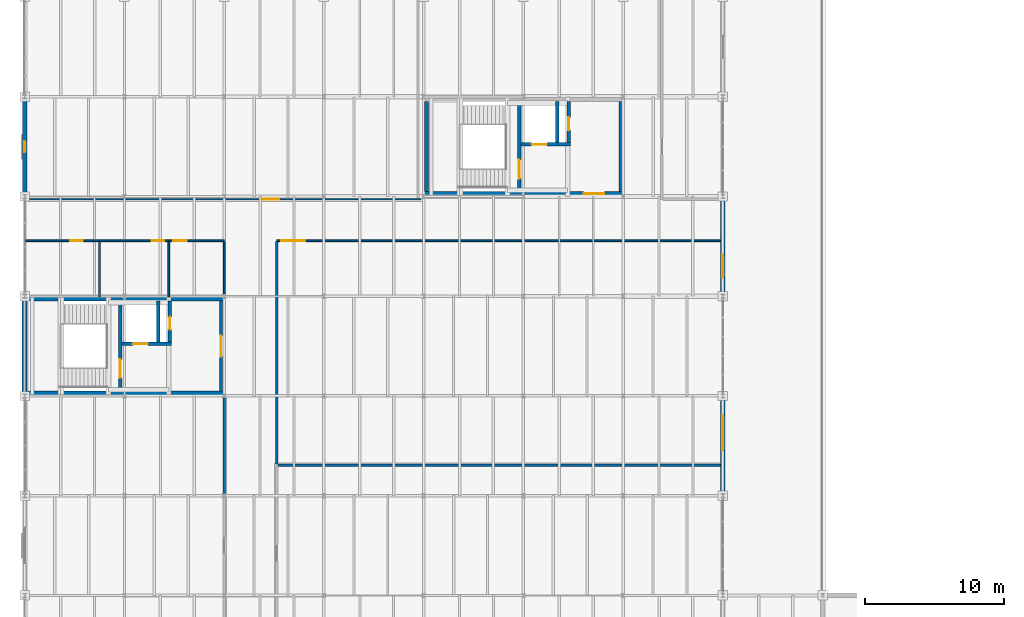
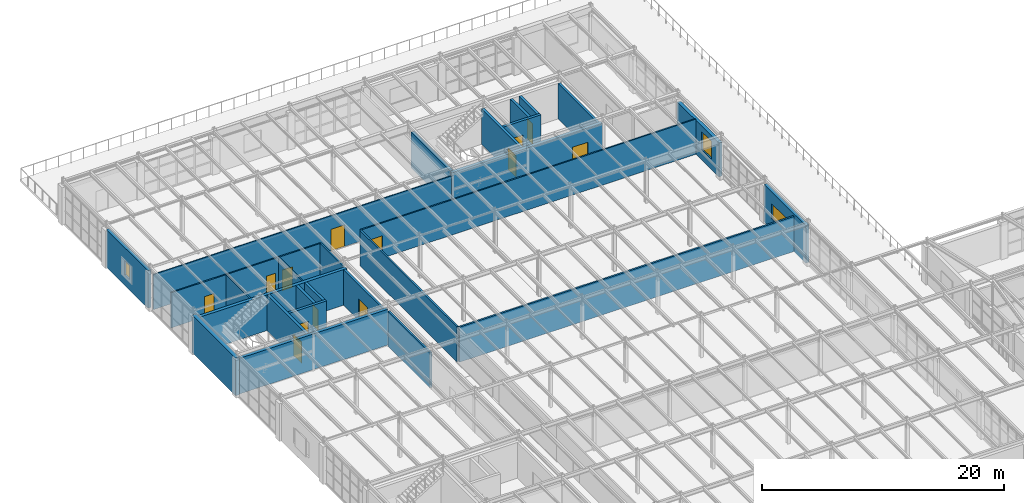
# One storey, part 91 of 101: 29 walls, 13 doors, 3 windows, 16 openings.
"""IFC4 building model written with IfcOpenShell, lengths in metres."""

from ifc_helpers import new_model, si_unit, direction, frame, frame_2d, origin, place, context, subcontext, project, spatial, rectangle, extrude, material, layer, layer_set, type_object, element, fill, save


model = new_model("IFC4")

# Units and contexts
model_context = context("Model", 3, precision=1e-05, world=origin(), true_north=direction((0.0, 1.0)))
body_context = subcontext(model_context, "Body", "Model", "MODEL_VIEW")
ifc_project = project(units=[si_unit("LENGTHUNIT", "METRE"), si_unit("AREAUNIT", "SQUARE_METRE"), si_unit("VOLUMEUNIT", "CUBIC_METRE"), si_unit("PLANEANGLEUNIT", "RADIAN"), si_unit("MASSUNIT", "GRAM", prefix="KILO")], contexts=[model_context])

# Site, building, storey
site_placement = place(None, origin())
site = spatial("IfcSite", under=ifc_project, at=site_placement, CompositionType="ELEMENT")
building_placement = place(site_placement, origin())
building = spatial("IfcBuilding", under=site, at=building_placement, Name="Kemerveld Promenade Tramway Depot", CompositionType="ELEMENT")
storey_placement = place(building_placement, frame((0.0, 0.0, 9.89990234375)))
storey = spatial("IfcBuildingStorey", under=building, at=storey_placement, Name="L02", CompositionType="ELEMENT", Elevation=9.89990234375)

# Wall, opening, door
ifc_material_1 = material(Name="Concrete C40/50", Category="concrete")
ifc_layer_1 = layer(ifc_material_1, 0.25)
ifc_layer_set_1 = layer_set([ifc_layer_1], Name="WL-CORE-250")
wall_type_1 = type_object("IfcWallType", Name="WL-CORE-250", PredefinedType="SHEAR", material=ifc_layer_set_1)
wall_1_placement = place(storey_placement, frame((6.89990234375, 43.550048828125, 0.0), z_axis=(0.0, 0.0, 1.0), x_axis=(0.0, 1.0, 0.0)))
wall_1 = element("IfcWall", 1, at=wall_1_placement, inside=storey, type_object=wall_type_1, Name="WL-C2-L02-SDIV", PredefinedType="SHEAR", context=body_context, shape_type="SweptSolid", body=[
    extrude(rectangle(XDim=6.5, YDim=0.25, at=frame_2d((3.25, 0.0))), origin(), (0.0, 0.0, 1.0), 3.60009765625),
])
opening_1_placement = place(wall_1_placement, frame((0.949951171875, 0.0, 0.0)))
opening_1 = element("IfcOpeningElement", 2, at=opening_1_placement, cuts=wall_1, Name="Opening D-529", PredefinedType="OPENING", context=body_context, shape_type="SweptSolid", body=[
    extrude(rectangle(XDim=1.35009765625, YDim=2.14990234375, at=frame_2d((0.675048828125, 1.074951171875))), frame((0.0, 0.135009765625, 0.0), z_axis=(0.0, -1.0, 0.0), x_axis=(1.0, 0.0, 0.0)), (0.0, 0.0, 1.0), 0.27001953125),
])
ifc_material_2 = material(Name="Galvanised steel fire stair door", Category="steel")
door_type_1 = type_object("IfcDoorType", Name="DR-FD120", OperationType="NOTDEFINED", PredefinedType="DOOR", material=ifc_material_2)
door_1_placement = place(opening_1_placement, origin())
door_1 = element("IfcDoor", 3, at=door_1_placement, inside=storey, type_object=door_type_1, Name="DR-C2-L02-STAIR", OperationType="SINGLE_SWING_LEFT", OverallHeight=2.14990234375, OverallWidth=1.35009765625, PredefinedType="DOOR", context=body_context, shape_type="SweptSolid", body=[
    extrude(rectangle(XDim=1.35009765625, YDim=2.14990234375, at=frame_2d((0.675048828125, 1.074951171875))), frame((0.0, 0.02490234375, 0.0), z_axis=(0.0, -1.0, 0.0), x_axis=(1.0, 0.0, 0.0)), (0.0, 0.0, 1.0), 0.050048828125),
])
fill(opening_1, door_1)

wall_2_placement = place(storey_placement, frame((7.02490234375, 46.9599609375, 0.0), z_axis=(0.0, 0.0, 1.0), x_axis=(1.0, 0.0, 0.0)))
wall_2 = element("IfcWall", 4, at=wall_2_placement, inside=storey, type_object=wall_type_1, Name="WL-C2-L02-LSHS", PredefinedType="SHEAR", context=body_context, shape_type="SweptSolid", body=[
    extrude(rectangle(XDim=3.580078125, YDim=0.25, at=frame_2d((1.7900390625, 0.0))), origin(), (0.0, 0.0, 1.0), 3.60009765625),
])
opening_2_placement = place(wall_2_placement, frame((0.77490234375, 0.0, 0.0)))
opening_2 = element("IfcOpeningElement", 5, at=opening_2_placement, cuts=wall_2, Name="Opening LD-530", PredefinedType="OPENING", context=body_context, shape_type="SweptSolid", body=[
    extrude(rectangle(XDim=1.10009765625, YDim=2.14990234375, at=frame_2d((0.550048828125, 1.074951171875))), frame((0.0, 0.135009765625, 0.0), z_axis=(0.0, -1.0, 0.0), x_axis=(1.0, 0.0, 0.0)), (0.0, 0.0, 1.0), 0.27001953125),
])
ifc_material_3 = material(Name="Brushed stainless steel sliding lift landing door", Category="steel")
door_type_2 = type_object("IfcDoorType", Name="DR-LD01", OperationType="SLIDING_TO_LEFT", PredefinedType="DOOR", material=ifc_material_3)
door_2_placement = place(opening_2_placement, origin())
door_2 = element("IfcDoor", 6, at=door_2_placement, inside=storey, type_object=door_type_2, Name="DR-C2-L02-LIFT", OperationType="SLIDING_TO_LEFT", OverallHeight=2.14990234375, OverallWidth=1.10009765625, PredefinedType="DOOR", context=body_context, shape_type="SweptSolid", body=[
    extrude(rectangle(XDim=1.10009765625, YDim=2.14990234375, at=frame_2d((0.550048828125, 1.074951171875))), frame((0.0, 0.02490234375, 0.0), z_axis=(0.0, -1.0, 0.0), x_axis=(1.0, 0.0, 0.0)), (0.0, 0.0, 1.0), 0.050048828125),
])
fill(opening_2, door_2)

# Wall
wall_3_placement = place(storey_placement, frame((9.64990234375, 47.0849609375, 0.0), z_axis=(0.0, 0.0, 1.0), x_axis=(0.0, 1.0, 0.0)))
element("IfcWall", 7, at=wall_3_placement, inside=storey, type_object=wall_type_1, Name="WL-C2-L02-LSHM", PredefinedType="SHEAR", context=body_context, shape_type="SweptSolid", body=[
    extrude(rectangle(XDim=2.965087890625, YDim=0.25, at=frame_2d((1.482421875, 0.0))), origin(), (0.0, 0.0, 1.0), 3.60009765625),
])

# Wall, opening, door
wall_4_placement = place(storey_placement, frame((10.47998046875, 47.0849609375, 0.0), z_axis=(0.0, 0.0, 1.0), x_axis=(0.0, 1.0, 0.0)))
wall_4 = element("IfcWall", 8, at=wall_4_placement, inside=storey, type_object=wall_type_1, Name="WL-C2-L02-LSHE", PredefinedType="SHEAR", context=body_context, shape_type="SweptSolid", body=[
    extrude(rectangle(XDim=2.965087890625, YDim=0.25, at=frame_2d((1.482421875, 0.0))), origin(), (0.0, 0.0, 1.0), 3.60009765625),
])
opening_3_placement = place(wall_4_placement, frame((0.89990234375, 0.0, 0.0)))
opening_3 = element("IfcOpeningElement", 9, at=opening_3_placement, cuts=wall_4, Name="Opening D-531", PredefinedType="OPENING", context=body_context, shape_type="SweptSolid", body=[
    extrude(rectangle(XDim=0.919921875, YDim=2.050048828125, at=frame_2d((0.4599609375, 1.02490234375))), frame((0.0, 0.135009765625, 0.0), z_axis=(0.0, -1.0, 0.0), x_axis=(1.0, 0.0, 0.0)), (0.0, 0.0, 1.0), 0.27001953125),
])
ifc_material_4 = material(Name="Steel riser shaft access fire door", Category="steel")
door_type_3 = type_object("IfcDoorType", Name="DR-RSR01", OperationType="NOTDEFINED", PredefinedType="DOOR", material=ifc_material_4)
door_3_placement = place(opening_3_placement, origin())
door_3 = element("IfcDoor", 10, at=door_3_placement, inside=storey, type_object=door_type_3, Name="DR-C2-L02-RISER", OperationType="SINGLE_SWING_RIGHT", OverallHeight=2.050048828125, OverallWidth=0.919921875, PredefinedType="DOOR", context=body_context, shape_type="SweptSolid", body=[
    extrude(rectangle(XDim=0.919921875, YDim=2.050048828125, at=frame_2d((0.4599609375, 1.02490234375))), frame((0.0, 0.02490234375, 0.0), z_axis=(0.0, -1.0, 0.0), x_axis=(1.0, 0.0, 0.0)), (0.0, 0.0, 1.0), 0.050048828125),
])
fill(opening_3, door_3)

wall_5_placement = place(storey_placement, frame((35.699951171875, 57.949951171875, 0.0), z_axis=(0.0, 0.0, 1.0), x_axis=(0.0, 1.0, 0.0)))
wall_5 = element("IfcWall", 11, at=wall_5_placement, inside=storey, type_object=wall_type_1, Name="WL-C3-L02-SDIV", PredefinedType="SHEAR", context=body_context, shape_type="SweptSolid", body=[
    extrude(rectangle(XDim=6.5, YDim=0.25, at=frame_2d((3.25, 0.0))), origin(), (0.0, 0.0, 1.0), 3.60009765625),
])
opening_4_placement = place(wall_5_placement, frame((0.949951171875, 0.0, 0.0)))
opening_4 = element("IfcOpeningElement", 12, at=opening_4_placement, cuts=wall_5, Name="Opening D-549", PredefinedType="OPENING", context=body_context, shape_type="SweptSolid", body=[
    extrude(rectangle(XDim=1.35009765625, YDim=2.14990234375, at=frame_2d((0.675048828125, 1.074951171875))), frame((0.0, 0.135009765625, 0.0), z_axis=(0.0, -1.0, 0.0), x_axis=(1.0, 0.0, 0.0)), (0.0, 0.0, 1.0), 0.27001953125),
])
door_4_placement = place(opening_4_placement, origin())
door_4 = element("IfcDoor", 13, at=door_4_placement, inside=storey, type_object=door_type_1, Name="DR-C3-L02-STAIR", OperationType="SINGLE_SWING_RIGHT", OverallHeight=2.14990234375, OverallWidth=1.35009765625, PredefinedType="DOOR", context=body_context, shape_type="SweptSolid", body=[
    extrude(rectangle(XDim=1.35009765625, YDim=2.14990234375, at=frame_2d((0.675048828125, 1.074951171875))), frame((0.0, 0.02490234375, 0.0), z_axis=(0.0, -1.0, 0.0), x_axis=(1.0, 0.0, 0.0)), (0.0, 0.0, 1.0), 0.050048828125),
])
fill(opening_4, door_4)

wall_6_placement = place(storey_placement, frame((35.824951171875, 61.360107421875, 0.0), z_axis=(0.0, 0.0, 1.0), x_axis=(1.0, 0.0, 0.0)))
wall_6 = element("IfcWall", 14, at=wall_6_placement, inside=storey, type_object=wall_type_1, Name="WL-C3-L02-LSHS", PredefinedType="SHEAR", context=body_context, shape_type="SweptSolid", body=[
    extrude(rectangle(XDim=3.580078125, YDim=0.25, at=frame_2d((1.7900390625, 0.0))), origin(), (0.0, 0.0, 1.0), 3.60009765625),
])
opening_5_placement = place(wall_6_placement, frame((0.77490234375, 0.0, 0.0)))
opening_5 = element("IfcOpeningElement", 15, at=opening_5_placement, cuts=wall_6, Name="Opening LD-550", PredefinedType="OPENING", context=body_context, shape_type="SweptSolid", body=[
    extrude(rectangle(XDim=1.10009765625, YDim=2.14990234375, at=frame_2d((0.550048828125, 1.074951171875))), frame((0.0, 0.135009765625, 0.0), z_axis=(0.0, -1.0, 0.0), x_axis=(1.0, 0.0, 0.0)), (0.0, 0.0, 1.0), 0.27001953125),
])
door_5_placement = place(opening_5_placement, origin())
door_5 = element("IfcDoor", 16, at=door_5_placement, inside=storey, type_object=door_type_2, Name="DR-C3-L02-LIFT", OperationType="SLIDING_TO_LEFT", OverallHeight=2.14990234375, OverallWidth=1.10009765625, PredefinedType="DOOR", context=body_context, shape_type="SweptSolid", body=[
    extrude(rectangle(XDim=1.10009765625, YDim=2.14990234375, at=frame_2d((0.550048828125, 1.074951171875))), frame((0.0, 0.02490234375, 0.0), z_axis=(0.0, -1.0, 0.0), x_axis=(1.0, 0.0, 0.0)), (0.0, 0.0, 1.0), 0.050048828125),
])
fill(opening_5, door_5)

# Wall
wall_7_placement = place(storey_placement, frame((38.449951171875, 61.485107421875, 0.0), z_axis=(0.0, 0.0, 1.0), x_axis=(0.0, 1.0, 0.0)))
element("IfcWall", 17, at=wall_7_placement, inside=storey, type_object=wall_type_1, Name="WL-C3-L02-LSHM", PredefinedType="SHEAR", context=body_context, shape_type="SweptSolid", body=[
    extrude(rectangle(XDim=2.96484375, YDim=0.25, at=frame_2d((1.482421875, 0.0))), origin(), (0.0, 0.0, 1.0), 3.60009765625),
])

# Wall, opening, door
wall_8_placement = place(storey_placement, frame((39.280029296875, 61.485107421875, 0.0), z_axis=(0.0, 0.0, 1.0), x_axis=(0.0, 1.0, 0.0)))
wall_8 = element("IfcWall", 18, at=wall_8_placement, inside=storey, type_object=wall_type_1, Name="WL-C3-L02-LSHE", PredefinedType="SHEAR", context=body_context, shape_type="SweptSolid", body=[
    extrude(rectangle(XDim=2.96484375, YDim=0.25, at=frame_2d((1.482421875, 0.0))), origin(), (0.0, 0.0, 1.0), 3.60009765625),
])
opening_6_placement = place(wall_8_placement, frame((0.89990234375, 0.0, 0.0)))
opening_6 = element("IfcOpeningElement", 19, at=opening_6_placement, cuts=wall_8, Name="Opening D-551", PredefinedType="OPENING", context=body_context, shape_type="SweptSolid", body=[
    extrude(rectangle(XDim=0.919921875, YDim=2.050048828125, at=frame_2d((0.4599609375, 1.02490234375))), frame((0.0, 0.135009765625, 0.0), z_axis=(0.0, -1.0, 0.0), x_axis=(1.0, 0.0, 0.0)), (0.0, 0.0, 1.0), 0.27001953125),
])
door_6_placement = place(opening_6_placement, origin())
door_6 = element("IfcDoor", 20, at=door_6_placement, inside=storey, type_object=door_type_3, Name="DR-C3-L02-RISER", OperationType="SINGLE_SWING_LEFT", OverallHeight=2.050048828125, OverallWidth=0.919921875, PredefinedType="DOOR", context=body_context, shape_type="SweptSolid", body=[
    extrude(rectangle(XDim=0.919921875, YDim=2.050048828125, at=frame_2d((0.4599609375, 1.02490234375))), frame((0.0, 0.02490234375, 0.0), z_axis=(0.0, -1.0, 0.0), x_axis=(1.0, 0.0, 0.0)), (0.0, 0.0, 1.0), 0.050048828125),
])
fill(opening_6, door_6)

# Walls
ifc_layer_2 = layer(ifc_material_1, 0.300048828125)
ifc_layer_set_2 = layer_set([ifc_layer_2], Name="WL-CORE-300")
wall_type_2 = type_object("IfcWallType", Name="WL-CORE-300", PredefinedType="SHEAR", material=ifc_layer_set_2)
for number, where, z_axis, x_axis, name in (
    (21, (0.169921875, 43.39990234375, 0.0), (0.0, 0.0, 1.0), (1.0, 0.0, 0.0), "WL-C2-L02-S"),
    (22, (0.169921875, 50.199951171875, 0.0), (0.0, 0.0, 1.0), (1.0, 0.0, 0.0), "WL-C2-L02-N"),
):
    element("IfcWall", number, at=place(storey_placement, frame(where, z_axis=z_axis, x_axis=x_axis)), inside=storey, type_object=wall_type_2, Name=name, PredefinedType="SHEAR", context=body_context, shape_type="SweptSolid", body=[
        extrude(rectangle(XDim=14.22998046875, YDim=0.300048828125, at=frame_2d((7.114990234375, 0.0))), origin(), (0.0, 0.0, 1.0), 3.60009765625),
    ])

# Wall, opening, door
wall_9_placement = place(storey_placement, frame((28.85009765625, 57.800048828125, 0.0), z_axis=(0.0, 0.0, 1.0), x_axis=(1.0, 0.0, 0.0)))
wall_9 = element("IfcWall", 23, at=wall_9_placement, inside=storey, type_object=wall_type_2, Name="WL-C3-L02-S", PredefinedType="SHEAR", context=body_context, shape_type="SweptSolid", body=[
    extrude(rectangle(XDim=14.349853515625, YDim=0.300048828125, at=frame_2d((7.1748046875, 0.0))), origin(), (0.0, 0.0, 1.0), 3.60009765625),
])
opening_7_placement = place(wall_9_placement, frame((11.5, 0.0, 0.0)))
opening_7 = element("IfcOpeningElement", 24, at=opening_7_placement, cuts=wall_9, Name="Opening D-552", PredefinedType="OPENING", context=body_context, shape_type="SweptSolid", body=[
    extrude(rectangle(XDim=1.5, YDim=2.14990234375, at=frame_2d((0.75, 1.074951171875))), frame((0.0, 0.159912109375, 0.0), z_axis=(0.0, -1.0, 0.0), x_axis=(1.0, 0.0, 0.0)), (0.0, 0.0, 1.0), 0.320068359375),
])
ifc_material_5 = material(Name="Timber-faced acoustic fire lobby door", Category="wood")
door_type_4 = type_object("IfcDoorType", Name="DR-FD60A", OperationType="NOTDEFINED", PredefinedType="DOOR", material=ifc_material_5)
door_7_placement = place(opening_7_placement, origin())
door_7 = element("IfcDoor", 25, at=door_7_placement, inside=storey, type_object=door_type_4, Name="DR-C3-L02-LOBBY", OperationType="SINGLE_SWING_RIGHT", OverallHeight=2.14990234375, OverallWidth=1.5, PredefinedType="DOOR", context=body_context, shape_type="SweptSolid", body=[
    extrude(rectangle(XDim=1.5, YDim=2.14990234375, at=frame_2d((0.75, 1.074951171875))), frame((0.0, 0.02490234375, 0.0), z_axis=(0.0, -1.0, 0.0), x_axis=(1.0, 0.0, 0.0)), (0.0, 0.0, 1.0), 0.050048828125),
])
fill(opening_7, door_7)

# Wall
wall_10_placement = place(storey_placement, frame((29.0, 57.949951171875, 0.0), z_axis=(0.0, 0.0, 1.0), x_axis=(0.0, 1.0, 0.0)))
element("IfcWall", 26, at=wall_10_placement, inside=storey, type_object=wall_type_2, Name="WL-C3-L02-W", PredefinedType="SHEAR", context=body_context, shape_type="SweptSolid", body=[
    extrude(rectangle(XDim=6.5, YDim=0.300048828125, at=frame_2d((3.25, 0.0))), origin(), (0.0, 0.0, 1.0), 3.60009765625),
])

# Wall, opening, window
ifc_material_6 = material(Name="Banded granite and red-ochre clay brick masonry", Category="masonry")
ifc_layer_3 = layer(ifc_material_6, 0.320068359375)
ifc_layer_set_3 = layer_set([ifc_layer_3], Name="WL-EXT-320")
wall_type_3 = type_object("IfcWallType", Name="WL-EXT-320", PredefinedType="SOLIDWALL", material=ifc_layer_set_3)
wall_11_placement = place(storey_placement, frame((0.0, 57.75830078125, 0.0), z_axis=(0.0, 0.0, 1.0), x_axis=(0.0, 1.0, 0.0)))
wall_11 = element("IfcWall", 27, at=wall_11_placement, inside=storey, type_object=wall_type_3, Name="WL-L02-V5W-09", PredefinedType="SOLIDWALL", context=body_context, shape_type="SweptSolid", body=[
    extrude(rectangle(XDim=6.883544921875, YDim=0.320068359375, at=frame_2d((3.44189453125, 0.0))), origin(), (0.0, 0.0, 1.0), 3.800048828125),
])
opening_8_placement = place(wall_11_placement, frame((3.0419921875, 0.0, 1.050048828125)))
opening_8 = element("IfcOpeningElement", 28, at=opening_8_placement, cuts=wall_11, Name="Opening W-190", PredefinedType="OPENING", context=body_context, shape_type="SweptSolid", body=[
    extrude(rectangle(XDim=0.800048828125, YDim=1.39990234375, at=frame_2d((0.39990234375, 0.699951171875))), frame((0.0, 0.169921875, 0.0), z_axis=(0.0, -1.0, 0.0), x_axis=(1.0, 0.0, 0.0)), (0.0, 0.0, 1.0), 0.340087890625),
])
ifc_material_7 = material(Name="Bronze anodised aluminium and low-e glass", Category="aluminium")
window_type_1 = type_object("IfcWindowType", Name="WN-19", PartitioningType="SINGLE_PANEL", PredefinedType="WINDOW", material=ifc_material_7)
window_1_placement = place(opening_8_placement, origin())
window_1 = element("IfcWindow", 29, at=window_1_placement, inside=storey, type_object=window_type_1, Name="WN-L02-V5W-09", OverallHeight=1.39990234375, OverallWidth=0.800048828125, PartitioningType="SINGLE_PANEL", PredefinedType="WINDOW", context=body_context, shape_type="SweptSolid", body=[
    extrude(rectangle(XDim=0.800048828125, YDim=1.39990234375, at=frame_2d((0.39990234375, 0.699951171875))), frame((0.0, 0.030029296875, 0.0), z_axis=(0.0, -1.0, 0.0), x_axis=(1.0, 0.0, 0.0)), (0.0, 0.0, 1.0), 0.06005859375),
])
fill(opening_8, window_1)

wall_12_placement = place(storey_placement, frame((50.39990234375, 57.44189453125, 0.0), z_axis=(0.0, 0.0, 1.0), x_axis=(0.0, -1.0, 0.0)))
wall_12 = element("IfcWall", 30, at=wall_12_placement, inside=storey, type_object=wall_type_3, Name="WL-L02-V5E-03", PredefinedType="SOLIDWALL", context=body_context, shape_type="SweptSolid", body=[
    extrude(rectangle(XDim=6.8837890625, YDim=0.320068359375, at=frame_2d((3.44189453125, 0.0))), origin(), (0.0, 0.0, 1.0), 3.414306640625),
])
opening_9_placement = place(wall_12_placement, frame((4.05810546875, 0.0, 1.050048828125)))
opening_9 = element("IfcOpeningElement", 31, at=opening_9_placement, cuts=wall_12, Name="Opening W-194", PredefinedType="OPENING", context=body_context, shape_type="SweptSolid", body=[
    extrude(rectangle(XDim=1.659912109375, YDim=1.800048828125, at=frame_2d((0.830078125, 0.89990234375))), frame((0.0, 0.169921875, 0.0), z_axis=(0.0, -1.0, 0.0), x_axis=(1.0, 0.0, 0.0)), (0.0, 0.0, 1.0), 0.340087890625),
])
window_type_2 = type_object("IfcWindowType", Name="WN-29", PartitioningType="SINGLE_PANEL", PredefinedType="WINDOW", material=ifc_material_7)
window_2_placement = place(opening_9_placement, origin())
window_2 = element("IfcWindow", 32, at=window_2_placement, inside=storey, type_object=window_type_2, Name="WN-L02-V5E-03", OverallHeight=1.800048828125, OverallWidth=1.659912109375, PartitioningType="SINGLE_PANEL", PredefinedType="WINDOW", context=body_context, shape_type="SweptSolid", body=[
    extrude(rectangle(XDim=1.659912109375, YDim=1.800048828125, at=frame_2d((0.830078125, 0.89990234375))), frame((0.0, 0.030029296875, 0.0), z_axis=(0.0, -1.0, 0.0), x_axis=(1.0, 0.0, 0.0)), (0.0, 0.0, 1.0), 0.06005859375),
])
fill(opening_9, window_2)

wall_13_placement = place(storey_placement, frame((50.39990234375, 43.0419921875, 0.0), z_axis=(0.0, 0.0, 1.0), x_axis=(0.0, -1.0, 0.0)))
wall_13 = element("IfcWall", 33, at=wall_13_placement, inside=storey, type_object=wall_type_3, Name="WL-L02-V5E-05", PredefinedType="SOLIDWALL", context=body_context, shape_type="SweptSolid", body=[
    extrude(rectangle(XDim=6.8837890625, YDim=0.320068359375, at=frame_2d((3.44189453125, 0.0))), origin(), (0.0, 0.0, 1.0), 3.800048828125),
])
opening_10_placement = place(wall_13_placement, frame((1.216064453125, 0.0, 1.050048828125)))
opening_10 = element("IfcOpeningElement", 34, at=opening_10_placement, cuts=wall_13, Name="Opening W-195", PredefinedType="OPENING", context=body_context, shape_type="SweptSolid", body=[
    extrude(rectangle(XDim=2.56005859375, YDim=1.550048828125, at=frame_2d((1.280029296875, 0.77490234375))), frame((0.0, 0.169921875, 0.0), z_axis=(0.0, -1.0, 0.0), x_axis=(1.0, 0.0, 0.0)), (0.0, 0.0, 1.0), 0.340087890625),
])
window_type_3 = type_object("IfcWindowType", Name="WN-39", PartitioningType="SINGLE_PANEL", PredefinedType="WINDOW", material=ifc_material_7)
window_3_placement = place(opening_10_placement, origin())
window_3 = element("IfcWindow", 35, at=window_3_placement, inside=storey, type_object=window_type_3, Name="WN-L02-V5E-05", OverallHeight=1.550048828125, OverallWidth=2.56005859375, PartitioningType="SINGLE_PANEL", PredefinedType="WINDOW", context=body_context, shape_type="SweptSolid", body=[
    extrude(rectangle(XDim=2.56005859375, YDim=1.550048828125, at=frame_2d((1.280029296875, 0.77490234375))), frame((0.0, 0.030029296875, 0.0), z_axis=(0.0, -1.0, 0.0), x_axis=(1.0, 0.0, 0.0)), (0.0, 0.0, 1.0), 0.06005859375),
])
fill(opening_10, window_3)

# Wall
ifc_layer_4 = layer(ifc_material_1, 0.360107421875)
ifc_layer_set_4 = layer_set([ifc_layer_4], Name="WL-EXT-CORE")
wall_type_4 = type_object("IfcWallType", Name="WL-EXT-CORE", PredefinedType="SHEAR", material=ifc_layer_set_4)
wall_14_placement = place(storey_placement, frame((0.0, 43.199951171875, 0.0), z_axis=(0.0, 0.0, 1.0), x_axis=(0.0, 1.0, 0.0)))
element("IfcWall", 36, at=wall_14_placement, inside=storey, type_object=wall_type_4, Name="WL-L02-V5W-07", PredefinedType="SHEAR", context=body_context, shape_type="SweptSolid", body=[
    extrude(rectangle(XDim=7.199951171875, YDim=0.360107421875, at=frame_2d((3.60009765625, 0.0))), origin(), (0.0, 0.0, 1.0), 3.800048828125),
])

# Wall, opening, door
ifc_material_8 = material(Name="Concrete blockwork C35/45", Category="masonry")
ifc_layer_5 = layer(ifc_material_8, 0.199951171875)
ifc_layer_set_5 = layer_set([ifc_layer_5], Name="WL-LOB-200")
wall_type_5 = type_object("IfcWallType", Name="WL-LOB-200", PredefinedType="SOLIDWALL", material=ifc_layer_set_5)
wall_15_placement = place(storey_placement, frame((14.179931640625, 43.550048828125, 0.0), z_axis=(0.0, 0.0, 1.0), x_axis=(0.0, 1.0, 0.0)))
wall_15 = element("IfcWall", 37, at=wall_15_placement, inside=storey, type_object=wall_type_5, Name="WL-C2-L02-LOB", PredefinedType="SOLIDWALL", context=body_context, shape_type="SweptSolid", body=[
    extrude(rectangle(XDim=6.5, YDim=0.199951171875, at=frame_2d((3.25, 0.0))), origin(), (0.0, 0.0, 1.0), 3.60009765625),
])
opening_11_placement = place(wall_15_placement, frame((2.5, 0.0, 0.0)))
opening_11 = element("IfcOpeningElement", 38, at=opening_11_placement, cuts=wall_15, Name="Opening D-532", PredefinedType="OPENING", context=body_context, shape_type="SweptSolid", body=[
    extrude(rectangle(XDim=1.5, YDim=2.14990234375, at=frame_2d((0.75, 1.074951171875))), frame((0.0, 0.10986328125, 0.0), z_axis=(0.0, -1.0, 0.0), x_axis=(1.0, 0.0, 0.0)), (0.0, 0.0, 1.0), 0.219970703125),
])
door_8_placement = place(opening_11_placement, origin())
door_8 = element("IfcDoor", 39, at=door_8_placement, inside=storey, type_object=door_type_4, Name="DR-C2-L02-LOBBY", OperationType="SINGLE_SWING_LEFT", OverallHeight=2.14990234375, OverallWidth=1.5, PredefinedType="DOOR", context=body_context, shape_type="SweptSolid", body=[
    extrude(rectangle(XDim=1.5, YDim=2.14990234375, at=frame_2d((0.75, 1.074951171875))), frame((0.0, 0.02490234375, 0.0), z_axis=(0.0, -1.0, 0.0), x_axis=(1.0, 0.0, 0.0)), (0.0, 0.0, 1.0), 0.050048828125),
])
fill(opening_11, door_8)

# Wall
wall_16_placement = place(storey_placement, frame((43.0, 57.949951171875, 0.0), z_axis=(0.0, 0.0, 1.0), x_axis=(0.0, 1.0, 0.0)))
element("IfcWall", 40, at=wall_16_placement, inside=storey, type_object=wall_type_5, Name="WL-C3-L02-E", PredefinedType="SOLIDWALL", context=body_context, shape_type="SweptSolid", body=[
    extrude(rectangle(XDim=6.5, YDim=0.199951171875, at=frame_2d((3.25, 0.0))), origin(), (0.0, 0.0, 1.0), 3.60009765625),
])

# Wall, opening, door
ifc_material_9 = material(Name="Lightweight glazed studio partition")
ifc_layer_6 = layer(ifc_material_9, 0.10009765625)
ifc_layer_set_6 = layer_set([ifc_layer_6], Name="WL-PRT-100")
wall_type_6 = type_object("IfcWallType", Name="WL-PRT-100", PredefinedType="PARTITIONING", material=ifc_layer_set_6)
wall_17_placement = place(storey_placement, frame((0.159912109375, 57.39990234375, 0.0), z_axis=(0.0, 0.0, 1.0), x_axis=(1.0, 0.0, 0.0)))
wall_17 = element("IfcWall", 41, at=wall_17_placement, inside=storey, type_object=wall_type_6, Name="WL-PRT-RM-L02-V5-INST", PredefinedType="PARTITIONING", context=body_context, shape_type="SweptSolid", body=[
    extrude(rectangle(XDim=28.440185546875, YDim=0.10009765625, at=frame_2d((14.22021484375, 0.0))), origin(), (0.0, 0.0, 1.0), 3.550048828125),
])
opening_12_placement = place(wall_17_placement, frame((16.947021484375, 0.0, 0.0)))
opening_12 = element("IfcOpeningElement", 42, at=opening_12_placement, cuts=wall_17, Name="Opening D-669", PredefinedType="OPENING", context=body_context, shape_type="SweptSolid", body=[
    extrude(rectangle(XDim=1.280029296875, YDim=2.179931640625, at=frame_2d((0.64013671875, 1.08984375))), frame((0.0, 0.06005859375, 0.0), z_axis=(0.0, -1.0, 0.0), x_axis=(1.0, 0.0, 0.0)), (0.0, 0.0, 1.0), 0.1201171875),
])
ifc_material_10 = material(Name="Hardwood interior room door", Category="wood")
door_type_5 = type_object("IfcDoorType", Name="DR-INT27", OperationType="NOTDEFINED", PredefinedType="DOOR", material=ifc_material_10)
door_9_placement = place(opening_12_placement, origin())
door_9 = element("IfcDoor", 43, at=door_9_placement, inside=storey, type_object=door_type_5, Name="DR-RM-RM-L02-V5-INST", OperationType="SINGLE_SWING_RIGHT", OverallHeight=2.179931640625, OverallWidth=1.280029296875, PredefinedType="DOOR", context=body_context, shape_type="SweptSolid", body=[
    extrude(rectangle(XDim=1.280029296875, YDim=2.179931640625, at=frame_2d((0.64013671875, 1.08984375))), frame((0.0, 0.02490234375, 0.0), z_axis=(0.0, -1.0, 0.0), x_axis=(1.0, 0.0, 0.0)), (0.0, 0.0, 1.0), 0.050048828125),
])
fill(opening_12, door_9)

ifc_material_11 = material(Name="Moisture-resistant masonry partition", Category="masonry")
ifc_layer_7 = layer(ifc_material_11, 0.1298828125)
ifc_layer_set_7 = layer_set([ifc_layer_7], Name="WL-PRT-130")
wall_type_7 = type_object("IfcWallType", Name="WL-PRT-130", PredefinedType="PARTITIONING", material=ifc_layer_set_7)
wall_18_placement = place(storey_placement, frame((18.199951171875, 54.39990234375, 0.0), z_axis=(0.0, 0.0, 1.0), x_axis=(1.0, 0.0, 0.0)))
wall_18 = element("IfcWall", 44, at=wall_18_placement, inside=storey, type_object=wall_type_7, Name="WL-PRT-RM-L02-V5-SIG", PredefinedType="PARTITIONING", context=body_context, shape_type="SweptSolid", body=[
    extrude(rectangle(XDim=32.0400390625, YDim=0.1298828125, at=frame_2d((16.02001953125, 0.0))), origin(), (0.0, 0.0, 1.0), 3.550048828125),
])
opening_13_placement = place(wall_18_placement, frame((0.320068359375, 0.0, 0.0)))
opening_13 = element("IfcOpeningElement", 45, at=opening_13_placement, cuts=wall_18, Name="Opening D-665", PredefinedType="OPENING", context=body_context, shape_type="SweptSolid", body=[
    extrude(rectangle(XDim=1.75, YDim=2.25, at=frame_2d((0.875, 1.125))), frame((0.0, 0.074951171875, 0.0), z_axis=(0.0, -1.0, 0.0), x_axis=(1.0, 0.0, 0.0)), (0.0, 0.0, 1.0), 0.14990234375),
])
ifc_material_12 = material(Name="Double workshop equipment door")
door_type_6 = type_object("IfcDoorType", Name="DR-INT06", OperationType="DOUBLE_SWING_LEFT", PredefinedType="DOOR", material=ifc_material_12)
door_10_placement = place(opening_13_placement, origin())
door_10 = element("IfcDoor", 46, at=door_10_placement, inside=storey, type_object=door_type_6, Name="DR-RM-RM-L02-V5-SIG", OperationType="DOUBLE_SWING_LEFT", OverallHeight=2.25, OverallWidth=1.75, PredefinedType="DOOR", context=body_context, shape_type="SweptSolid", body=[
    extrude(rectangle(XDim=1.75, YDim=2.25, at=frame_2d((0.875, 1.125))), frame((0.0, 0.02490234375, 0.0), z_axis=(0.0, -1.0, 0.0), x_axis=(1.0, 0.0, 0.0)), (0.0, 0.0, 1.0), 0.050048828125),
])
fill(opening_13, door_10)

wall_19_placement = place(storey_placement, frame((0.080078125, 54.39990234375, 0.0), z_axis=(0.0, 0.0, 1.0), x_axis=(1.0, 0.0, 0.0)))
wall_19 = element("IfcWall", 47, at=wall_19_placement, inside=storey, type_object=wall_type_7, Name="WL-PRT-RM-L02-V5-WCM", PredefinedType="PARTITIONING", context=body_context, shape_type="SweptSolid", body=[
    extrude(rectangle(XDim=5.31982421875, YDim=0.1298828125, at=frame_2d((2.659912109375, 0.0))), origin(), (0.0, 0.0, 1.0), 3.550048828125),
])
opening_14_placement = place(wall_19_placement, frame((3.2099609375, 0.0, 0.0)))
opening_14 = element("IfcOpeningElement", 48, at=opening_14_placement, cuts=wall_19, Name="Opening D-666", PredefinedType="OPENING", context=body_context, shape_type="SweptSolid", body=[
    extrude(rectangle(XDim=0.89990234375, YDim=2.050048828125, at=frame_2d((0.449951171875, 1.02490234375))), frame((0.0, 0.074951171875, 0.0), z_axis=(0.0, -1.0, 0.0), x_axis=(1.0, 0.0, 0.0)), (0.0, 0.0, 1.0), 0.14990234375),
])
ifc_material_13 = material(Name="Moisture-resistant laminate WC door")
door_type_7 = type_object("IfcDoorType", Name="DR-WC01", OperationType="NOTDEFINED", PredefinedType="DOOR", material=ifc_material_13)
door_11_placement = place(opening_14_placement, origin())
door_11 = element("IfcDoor", 49, at=door_11_placement, inside=storey, type_object=door_type_7, Name="DR-RM-RM-L02-V5-WCM", OperationType="SINGLE_SWING_LEFT", OverallHeight=2.050048828125, OverallWidth=0.89990234375, PredefinedType="DOOR", context=body_context, shape_type="SweptSolid", body=[
    extrude(rectangle(XDim=0.89990234375, YDim=2.050048828125, at=frame_2d((0.449951171875, 1.02490234375))), frame((0.0, 0.02490234375, 0.0), z_axis=(0.0, -1.0, 0.0), x_axis=(1.0, 0.0, 0.0)), (0.0, 0.0, 1.0), 0.050048828125),
])
fill(opening_14, door_11)

wall_20_placement = place(storey_placement, frame((5.39990234375, 54.39990234375, 0.0), z_axis=(0.0, 0.0, 1.0), x_axis=(1.0, 0.0, 0.0)))
wall_20 = element("IfcWall", 50, at=wall_20_placement, inside=storey, type_object=wall_type_7, Name="WL-PRT-RM-L02-V5-WCF", PredefinedType="PARTITIONING", context=body_context, shape_type="SweptSolid", body=[
    extrude(rectangle(XDim=5.0, YDim=0.1298828125, at=frame_2d((2.5, 0.0))), origin(), (0.0, 0.0, 1.0), 3.550048828125),
])
opening_15_placement = place(wall_20_placement, frame((3.780029296875, 0.0, 0.0)))
opening_15 = element("IfcOpeningElement", 51, at=opening_15_placement, cuts=wall_20, Name="Opening D-667", PredefinedType="OPENING", context=body_context, shape_type="SweptSolid", body=[
    extrude(rectangle(XDim=0.89990234375, YDim=2.050048828125, at=frame_2d((0.449951171875, 1.02490234375))), frame((0.0, 0.074951171875, 0.0), z_axis=(0.0, -1.0, 0.0), x_axis=(1.0, 0.0, 0.0)), (0.0, 0.0, 1.0), 0.14990234375),
])
door_12_placement = place(opening_15_placement, origin())
door_12 = element("IfcDoor", 52, at=door_12_placement, inside=storey, type_object=door_type_7, Name="DR-RM-RM-L02-V5-WCF", OperationType="SINGLE_SWING_RIGHT", OverallHeight=2.050048828125, OverallWidth=0.89990234375, PredefinedType="DOOR", context=body_context, shape_type="SweptSolid", body=[
    extrude(rectangle(XDim=0.89990234375, YDim=2.050048828125, at=frame_2d((0.449951171875, 1.02490234375))), frame((0.0, 0.02490234375, 0.0), z_axis=(0.0, -1.0, 0.0), x_axis=(1.0, 0.0, 0.0)), (0.0, 0.0, 1.0), 0.050048828125),
])
fill(opening_15, door_12)

wall_21_placement = place(storey_placement, frame((10.39990234375, 54.39990234375, 0.0), z_axis=(0.0, 0.0, 1.0), x_axis=(1.0, 0.0, 0.0)))
wall_21 = element("IfcWall", 53, at=wall_21_placement, inside=storey, type_object=wall_type_7, Name="WL-PRT-RM-L02-V5-WCA", PredefinedType="PARTITIONING", context=body_context, shape_type="SweptSolid", body=[
    extrude(rectangle(XDim=4.0, YDim=0.1298828125, at=frame_2d((2.0, 0.0))), origin(), (0.0, 0.0, 1.0), 3.550048828125),
])
opening_16_placement = place(wall_21_placement, frame((0.320068359375, 0.0, 0.0)))
opening_16 = element("IfcOpeningElement", 54, at=opening_16_placement, cuts=wall_21, Name="Opening D-668", PredefinedType="OPENING", context=body_context, shape_type="SweptSolid", body=[
    extrude(rectangle(XDim=0.97998046875, YDim=2.10009765625, at=frame_2d((0.489990234375, 1.050048828125))), frame((0.0, 0.074951171875, 0.0), z_axis=(0.0, -1.0, 0.0), x_axis=(1.0, 0.0, 0.0)), (0.0, 0.0, 1.0), 0.14990234375),
])
ifc_material_14 = material(Name="Accessible WC outward-opening door")
door_type_8 = type_object("IfcDoorType", Name="DR-WCA1", OperationType="NOTDEFINED", PredefinedType="DOOR", material=ifc_material_14)
door_13_placement = place(opening_16_placement, origin())
door_13 = element("IfcDoor", 55, at=door_13_placement, inside=storey, type_object=door_type_8, Name="DR-RM-RM-L02-V5-WCA", OperationType="SINGLE_SWING_LEFT", OverallHeight=2.10009765625, OverallWidth=0.97998046875, PredefinedType="DOOR", context=body_context, shape_type="SweptSolid", body=[
    extrude(rectangle(XDim=0.97998046875, YDim=2.10009765625, at=frame_2d((0.489990234375, 1.050048828125))), frame((0.0, 0.02490234375, 0.0), z_axis=(0.0, -1.0, 0.0), x_axis=(1.0, 0.0, 0.0)), (0.0, 0.0, 1.0), 0.050048828125),
])
fill(opening_16, door_13)

# Walls
for number, where, z_axis, x_axis, name in (
    (56, (5.39990234375, 50.35009765625, 0.0), (0.0, 0.0, 1.0), (0.0, 1.0, 0.0), "WL-DIV-L02-012"),
    (57, (10.39990234375, 50.35009765625, 0.0), (0.0, 0.0, 1.0), (0.0, 1.0, 0.0), "WL-DIV-L02-013"),
):
    element("IfcWall", number, at=place(storey_placement, frame(where, z_axis=z_axis, x_axis=x_axis)), inside=storey, type_object=wall_type_7, Name=name, PredefinedType="PARTITIONING", context=body_context, shape_type="SweptSolid", body=[
        extrude(rectangle(XDim=3.98486328125, YDim=0.1298828125, at=frame_2d((1.992431640625, 0.0))), origin(), (0.0, 0.0, 1.0), 3.550048828125),
    ])
wall_22_placement = place(storey_placement, frame((14.39990234375, 50.5400390625, 0.0), z_axis=(0.0, 0.0, 1.0), x_axis=(0.0, 1.0, 0.0)))
element("IfcWall", 58, at=wall_22_placement, inside=storey, type_object=wall_type_7, Name="WL-DIV-L02-014", PredefinedType="PARTITIONING", context=body_context, shape_type="SweptSolid", body=[
    extrude(rectangle(XDim=3.794921875, YDim=0.1298828125, at=frame_2d((1.8974609375, 0.0))), origin(), (0.0, 0.0, 1.0), 3.550048828125),
])
ifc_material_15 = material(Name="Acoustic twin-stud gypsum partition")
ifc_layer_8 = layer(ifc_material_15, 0.159912109375)
ifc_layer_set_8 = layer_set([ifc_layer_8], Name="WL-PRT-160")
wall_type_8 = type_object("IfcWallType", Name="WL-PRT-160", PredefinedType="PARTITIONING", material=ifc_layer_set_8)
wall_23_placement = place(storey_placement, frame((18.294921875, 38.199951171875, 0.0), z_axis=(0.0, 0.0, 1.0), x_axis=(1.0, 0.0, 0.0)))
element("IfcWall", 59, at=wall_23_placement, inside=storey, type_object=wall_type_8, Name="WL-DIV-L02-010", PredefinedType="PARTITIONING", context=body_context, shape_type="SweptSolid", body=[
    extrude(rectangle(XDim=31.945068359375, YDim=0.159912109375, at=frame_2d((15.97265625, 0.0))), origin(), (0.0, 0.0, 1.0), 3.550048828125),
])
wall_24_placement = place(storey_placement, frame((18.199951171875, 38.280029296875, 0.0), z_axis=(0.0, 0.0, 1.0), x_axis=(0.0, 1.0, 0.0)))
element("IfcWall", 60, at=wall_24_placement, inside=storey, type_object=wall_type_8, Name="WL-DIV-L02-011", PredefinedType="PARTITIONING", context=body_context, shape_type="SweptSolid", body=[
    extrude(rectangle(XDim=16.054931640625, YDim=0.159912109375, at=frame_2d((8.02734375, 0.0))), origin(), (0.0, 0.0, 1.0), 3.550048828125),
])
ifc_material_16 = material(Name="Workshop acoustic block partition")
ifc_layer_9 = layer(ifc_material_16, 0.175048828125)
ifc_layer_set_9 = layer_set([ifc_layer_9], Name="WL-PRT-175")
wall_type_9 = type_object("IfcWallType", Name="WL-PRT-175", PredefinedType="PARTITIONING", material=ifc_layer_set_9)
wall_25_placement = place(storey_placement, frame((14.39990234375, 36.139892578125, 0.0), z_axis=(0.0, 0.0, 1.0), x_axis=(0.0, 1.0, 0.0)))
element("IfcWall", 61, at=wall_25_placement, inside=storey, type_object=wall_type_9, Name="WL-PRT-RM-L02-V5-TR2-S3", PredefinedType="PARTITIONING", context=body_context, shape_type="SweptSolid", body=[
    extrude(rectangle(XDim=6.920166015625, YDim=0.175048828125, at=frame_2d((3.4599609375, 0.0))), origin(), (0.0, 0.0, 1.0), 3.550048828125),
])

save(model, "model.ifc")
